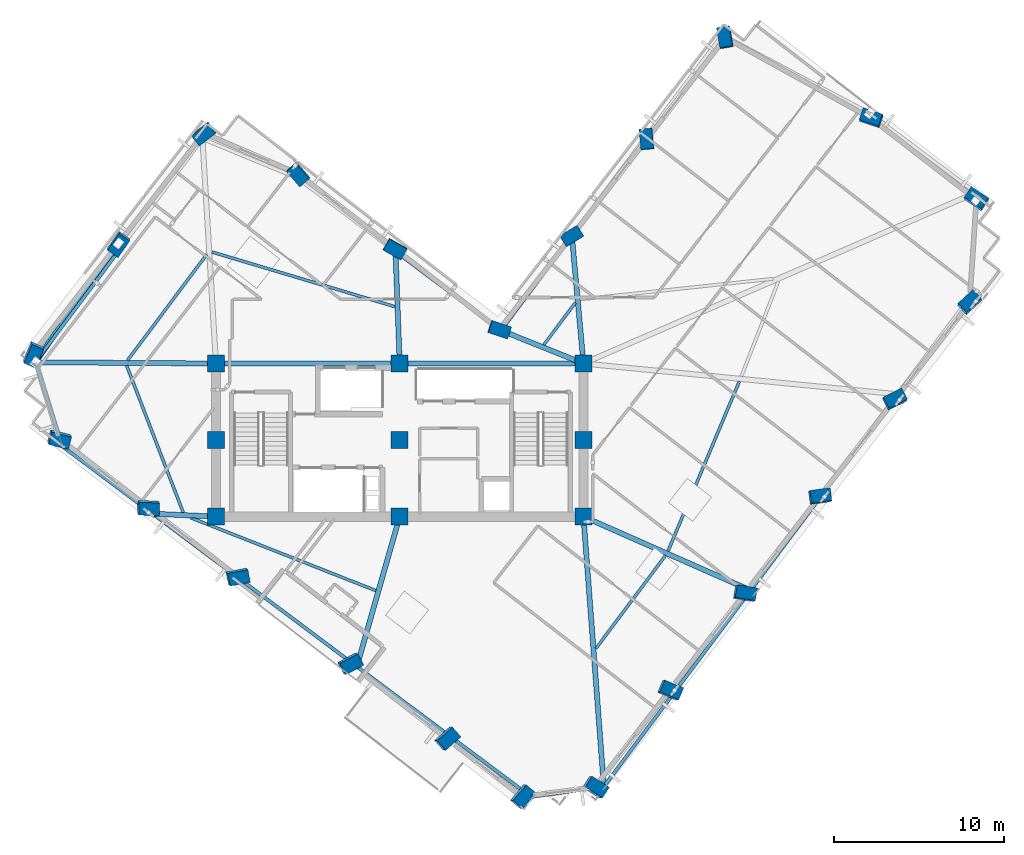
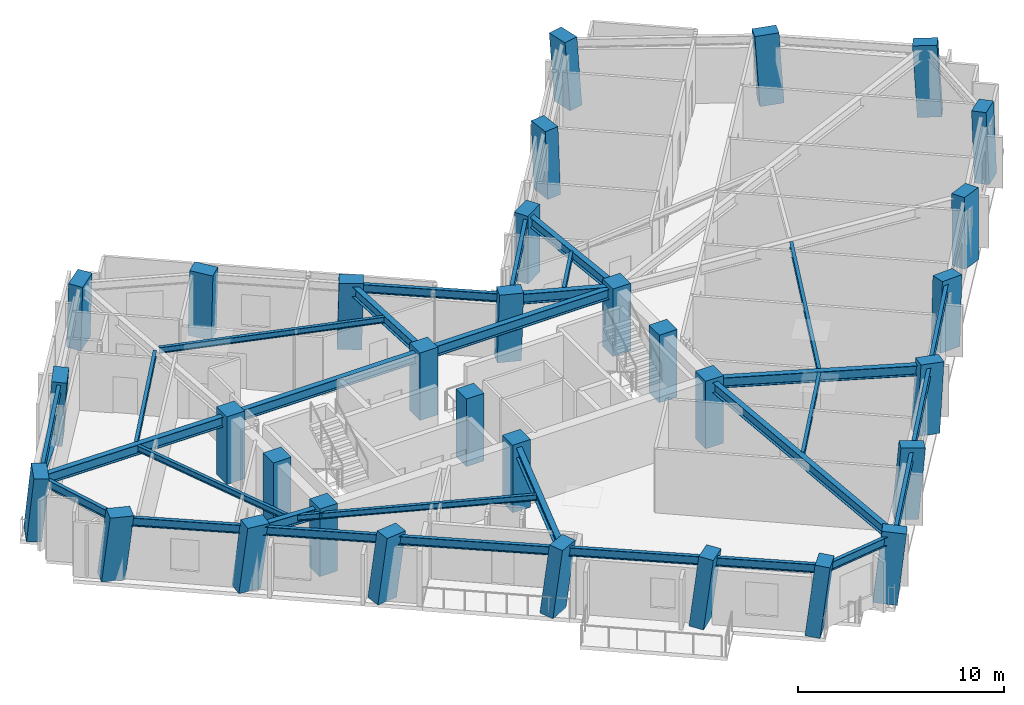
# One storey, part 1 of 12: 32 columns, 30 beams, 1 member.
"""IFC4 building model written with IfcOpenShell, lengths in metres."""

from ifc_helpers import new_model, si_unit, direction, frame, origin, origin_2d, place, context, subcontext, project, spatial, rectangle, hollow_circle, i_section, extrude, material, material_profile, profile_set, type_object, element, save


model = new_model("IFC4")

# Units and contexts
model_context = context("Model", 3, precision=1e-05, world=origin(), true_north=direction((0.0, 1.0)))
body_context = subcontext(model_context, "Body", "Model", "MODEL_VIEW")
ifc_project = project(units=[si_unit("LENGTHUNIT", "METRE"), si_unit("AREAUNIT", "SQUARE_METRE"), si_unit("VOLUMEUNIT", "CUBIC_METRE"), si_unit("PLANEANGLEUNIT", "RADIAN"), si_unit("MASSUNIT", "GRAM", prefix="KILO")], contexts=[model_context])

# Site, building, storey
site_placement = place(None, origin())
site = spatial("IfcSite", under=ifc_project, at=site_placement, CompositionType="ELEMENT")
building_placement = place(site_placement, origin())
building = spatial("IfcBuilding", under=site, at=building_placement, Name="Gaonmaruhae Medical Tower", CompositionType="ELEMENT")
storey_placement = place(building_placement, frame((0.0, 0.0, 247.199951171875)))
storey = spatial("IfcBuildingStorey", under=building, at=storey_placement, Name="L59", CompositionType="ELEMENT", Elevation=247.199951171875)

# Columns
ifc_material_1 = material(Name="Concrete C50/60", Category="concrete")
ifc_material_profile_1 = material_profile(ifc_material_1, rectangle(XDim=1.0, YDim=1.0, at=origin_2d()), Name="RC-1000x1000")
ifc_profile_set_1 = profile_set([ifc_material_profile_1], Name="Concrete C50/60")
column_type_1 = type_object("IfcColumnType", Name="CC-05 Zone 4 Core Column (RC-1000x1000)", PredefinedType="COLUMN", material=ifc_profile_set_1)
for number, where, z_axis, x_axis, name in (
    (1, (14.0, 7.800048828125, 0.0), (0.0, 0.0, 1.0), (1.0, 0.0, 0.0), "L59 Plumb Core Column CC11"),
    (2, (14.0, 12.300048828125, 0.0), (0.0, 0.0, 1.0), (1.0, 0.0, 0.0), "L59 Plumb Core Column CC12"),
    (3, (14.0, 16.800048828125, 0.0), (0.0, 0.0, 1.0), (1.0, 0.0, 0.0), "L59 Plumb Core Column CC13"),
    (4, (24.800048828125, 7.800048828125, 0.0), (0.0, 0.0, 1.0), (1.0, 0.0, 0.0), "L59 Plumb Core Column CC21"),
    (5, (24.800048828125, 12.300048828125, 0.0), (0.0, 0.0, 1.0), (1.0, 0.0, 0.0), "L59 Plumb Core Column CC22"),
    (6, (24.800048828125, 16.800048828125, 0.0), (0.0, 0.0, 1.0), (1.0, 0.0, 0.0), "L59 Plumb Core Column CC23"),
    (7, (35.60009765625, 7.800048828125, 0.0), (0.0, 0.0, 1.0), (1.0, 0.0, 0.0), "L59 Plumb Core Column CC31"),
    (8, (35.60009765625, 12.300048828125, 0.0), (0.0, 0.0, 1.0), (1.0, 0.0, 0.0), "L59 Plumb Core Column CC32"),
    (9, (35.60009765625, 16.800048828125, 0.0), (0.0, 0.0, 1.0), (1.0, 0.0, 0.0), "L59 Plumb Core Column CC33"),
):
    element("IfcColumn", number, at=place(storey_placement, frame(where, z_axis=z_axis, x_axis=x_axis)), inside=storey, type_object=column_type_1, Name=name, PredefinedType="COLUMN", context=body_context, shape_type="SweptSolid", body=[
        extrude(rectangle(XDim=1.0, YDim=1.0, at=origin_2d()), origin(), (0.0, 0.0, 1.0), 4.0),
    ])
ifc_material_profile_2 = material_profile(ifc_material_1, rectangle(XDim=1.199951171875, YDim=0.75, at=origin_2d()), Name="RC-1200x750")
ifc_profile_set_2 = profile_set([ifc_material_profile_2], Name="Concrete C50/60")
column_type_2 = type_object("IfcColumnType", Name="TC-03 Upper Raking Tube Pier Column (RC-1200x750)", PredefinedType="COLUMN", material=ifc_profile_set_2)
column_1_placement = place(storey_placement, frame((36.2548828125, -8.11474609375, 0.001953125), z_axis=(0.135095300523, 0.012044787099, 0.990759397069), x_axis=(-0.834656198785, 0.540229718626, 0.107242160284)))
element("IfcColumn", 10, at=column_1_placement, inside=storey, type_object=column_type_2, Name="L59 Perimeter Tube Column S01", PredefinedType="COLUMN", context=body_context, shape_type="SweptSolid", body=[
    extrude(rectangle(XDim=1.199951171875, YDim=0.75, at=origin_2d()), origin(), (0.0, 0.0, 1.0), 4.03369140625),
])
column_2_placement = place(storey_placement, frame((40.662841796875, -2.421630859375, 0.001953125), z_axis=(0.111833667772, 0.029976034661, 0.993274719349), x_axis=(-0.917097879864, 0.388008504121, 0.091547143476)))
element("IfcColumn", 11, at=column_2_placement, inside=storey, type_object=column_type_2, Name="L59 Perimeter Tube Column S02", PredefinedType="COLUMN", context=body_context, shape_type="SweptSolid", body=[
    extrude(rectangle(XDim=1.199951171875, YDim=0.75, at=origin_2d()), origin(), (0.0, 0.0, 1.0), 4.0234375),
])
column_3_placement = place(storey_placement, frame((45.07080078125, 3.271240234375, 0.001953125), z_axis=(0.088375757115, 0.048077870617, 0.994926250489), x_axis=(-0.98360363515, 0.161851376918, 0.079548857375)))
element("IfcColumn", 12, at=column_3_placement, inside=storey, type_object=column_type_2, Name="L59 Perimeter Tube Column S03", PredefinedType="COLUMN", context=body_context, shape_type="SweptSolid", body=[
    extrude(rectangle(XDim=1.199951171875, YDim=0.75, at=origin_2d()), origin(), (0.0, 0.0, 1.0), 4.0166015625),
])
column_4_placement = place(storey_placement, frame((49.478759765625, 8.96435546875, 0.001953125), z_axis=(0.064782917664, 0.066060327308, 0.995710403046), x_axis=(-0.988350873328, -0.133455718622, 0.073158200899)))
element("IfcColumn", 13, at=column_4_placement, inside=storey, type_object=column_type_2, Name="L59 Perimeter Tube Column S04", PredefinedType="COLUMN", context=body_context, shape_type="SweptSolid", body=[
    extrude(rectangle(XDim=1.199951171875, YDim=0.75, at=origin_2d()), origin(), (0.0, 0.0, 1.0), 4.013671875),
])
column_5_placement = place(storey_placement, frame((53.88671875, 14.657470703125, 0.001953125), z_axis=(0.041177092046, 0.084057224827, 0.995609777998), x_axis=(-0.896107262055, -0.437623558587, 0.074009430899)))
element("IfcColumn", 14, at=column_5_placement, inside=storey, type_object=column_type_2, Name="L59 Perimeter Tube Column S05", PredefinedType="COLUMN", context=body_context, shape_type="SweptSolid", body=[
    extrude(rectangle(XDim=1.199951171875, YDim=0.75, at=origin_2d()), origin(), (0.0, 0.0, 1.0), 4.013916015625),
])
column_6_placement = place(storey_placement, frame((58.294677734375, 20.350341796875, 0.001953125), z_axis=(0.017499830778, 0.101960819603, 0.994634479188), x_axis=(-0.73642938772, -0.671551052003, 0.081798175143)))
element("IfcColumn", 15, at=column_6_placement, inside=storey, type_object=column_type_2, Name="L59 Perimeter Tube Column S06", PredefinedType="COLUMN", context=body_context, shape_type="SweptSolid", body=[
    extrude(rectangle(XDim=1.199951171875, YDim=0.75, at=origin_2d()), origin(), (0.0, 0.0, 1.0), 4.017822265625),
])
column_7_placement = place(storey_placement, frame((58.697998046875, 26.4248046875, 0.001953125), z_axis=(-0.007595219156, 0.103416504035, 0.994609138978), x_axis=(0.833166287037, -0.549366665738, 0.063483893394)))
element("IfcColumn", 16, at=column_7_placement, inside=storey, type_object=column_type_2, Name="L59 Perimeter Tube Column E01", PredefinedType="COLUMN", context=body_context, shape_type="SweptSolid", body=[
    extrude(rectangle(XDim=1.199951171875, YDim=0.75, at=origin_2d()), origin(), (0.0, 0.0, 1.0), 4.01806640625),
])
column_8_placement = place(storey_placement, frame((52.530517578125, 31.2001953125, 0.001953125), z_axis=(-0.027092719635, 0.07799050304, 0.996585904967), x_axis=(0.947118439295, -0.316878141948, 0.050546069114)))
element("IfcColumn", 17, at=column_8_placement, inside=storey, type_object=column_type_2, Name="L59 Perimeter Tube Column E02", PredefinedType="COLUMN", context=body_context, shape_type="SweptSolid", body=[
    extrude(rectangle(XDim=1.199951171875, YDim=0.75, at=origin_2d()), origin(), (0.0, 0.0, 1.0), 4.010009765625),
])
column_9_placement = place(storey_placement, frame((43.9423828125, 35.95263671875, 0.001953125), z_axis=(-0.046459283818, 0.042374281172, 0.998021019439), x_axis=(0.170478733113, -0.984106179386, 0.049719505731)))
element("IfcColumn", 18, at=column_9_placement, inside=storey, type_object=column_type_2, Name="L59 Perimeter Tube Column E03", PredefinedType="COLUMN", context=body_context, shape_type="SweptSolid", body=[
    extrude(rectangle(XDim=1.199951171875, YDim=0.75, at=origin_2d()), origin(), (0.0, 0.0, 1.0), 4.004150390625),
])
column_10_placement = place(storey_placement, frame((39.3203125, 29.98291015625, 0.001953125), z_axis=(-0.021676245466, 0.023508040858, 0.999488625447), x_axis=(0.08563788715, -0.996005473508, 0.025283374503)))
element("IfcColumn", 19, at=column_10_placement, inside=storey, type_object=column_type_2, Name="L59 Perimeter Tube Column EN01", PredefinedType="COLUMN", context=body_context, shape_type="SweptSolid", body=[
    extrude(rectangle(XDim=1.199951171875, YDim=0.75, at=origin_2d()), origin(), (0.0, 0.0, 1.0), 3.998291015625),
])
column_11_placement = place(storey_placement, frame((34.912353515625, 24.289794921875, 0.001953125), z_axis=(0.00207706177, 0.005437014634, 0.9999830622), x_axis=(-0.854072816538, -0.52013310368, 0.00460201124)))
element("IfcColumn", 20, at=column_11_placement, inside=storey, type_object=column_type_2, Name="L59 Perimeter Tube Column EN02", PredefinedType="COLUMN", context=body_context, shape_type="SweptSolid", body=[
    extrude(rectangle(XDim=1.199951171875, YDim=0.75, at=origin_2d()), origin(), (0.0, 0.0, 1.0), 3.996337890625),
])
column_12_placement = place(storey_placement, frame((30.657470703125, 18.79443359375, 0.001953125), z_axis=(0.024976669224, -0.011969259579, 0.999616377827), x_axis=(-0.94878285786, 0.314731962752, 0.027475084218)))
element("IfcColumn", 21, at=column_12_placement, inside=storey, type_object=column_type_2, Name="L59 Perimeter Tube Column KN01", PredefinedType="COLUMN", context=body_context, shape_type="SweptSolid", body=[
    extrude(rectangle(XDim=1.199951171875, YDim=0.75, at=origin_2d()), origin(), (0.0, 0.0, 1.0), 3.997802734375),
])
column_13_placement = place(storey_placement, frame((24.529541015625, 23.5390625, 0.001953125), z_axis=(0.005555283631, -0.037543949814, 0.999279535794), x_axis=(-0.871721329071, 0.489450758115, 0.023235314142)))
element("IfcColumn", 22, at=column_13_placement, inside=storey, type_object=column_type_2, Name="L59 Perimeter Tube Column NE01", PredefinedType="COLUMN", context=body_context, shape_type="SweptSolid", body=[
    extrude(rectangle(XDim=1.199951171875, YDim=0.75, at=origin_2d()), origin(), (0.0, 0.0, 1.0), 3.999267578125),
])
column_14_placement = place(storey_placement, frame((18.836669921875, 27.947021484375, 0.001953125), z_axis=(-0.012560214296, -0.0611548298, 0.998049261214), x_axis=(-0.651594320374, 0.757604088657, 0.03822154505)))
element("IfcColumn", 23, at=column_14_placement, inside=storey, type_object=column_type_2, Name="L59 Perimeter Tube Column NE02", PredefinedType="COLUMN", context=body_context, shape_type="SweptSolid", body=[
    extrude(rectangle(XDim=1.199951171875, YDim=0.75, at=origin_2d()), origin(), (0.0, 0.0, 1.0), 4.004150390625),
])
column_15_placement = place(storey_placement, frame((13.292724609375, 30.342529296875, 0.001953125), z_axis=(-0.022213828305, -0.084047388737, 0.996214124713), x_axis=(0.793170432052, 0.605108125641, 0.068737340657)))
element("IfcColumn", 24, at=column_15_placement, inside=storey, type_object=column_type_2, Name="L59 Perimeter Tube Column N01", PredefinedType="COLUMN", context=body_context, shape_type="SweptSolid", body=[
    extrude(rectangle(XDim=1.199951171875, YDim=0.75, at=origin_2d()), origin(), (0.0, 0.0, 1.0), 4.011474609375),
])
column_16_placement = place(storey_placement, frame((8.2724609375, 23.858642578125, 0.001953125), z_axis=(0.00479977683, -0.104379956889, 0.994525910543), x_axis=(0.575449404971, 0.813653503986, 0.082619354686)))
element("IfcColumn", 25, at=column_16_placement, inside=storey, type_object=column_type_2, Name="L59 Perimeter Tube Column N02", PredefinedType="COLUMN", context=body_context, shape_type="SweptSolid", body=[
    extrude(rectangle(XDim=1.199951171875, YDim=0.75, at=origin_2d()), origin(), (0.0, 0.0, 1.0), 4.018310546875),
])
column_17_placement = place(storey_placement, frame((3.25244140625, 17.375, 0.001953125), z_axis=(0.031564824707, -0.124502331616, 0.991717112519), x_axis=(0.400737327413, 0.910546939736, 0.101557200414)))
element("IfcColumn", 26, at=column_17_placement, inside=storey, type_object=column_type_2, Name="L59 Perimeter Tube Column N03", PredefinedType="COLUMN", context=body_context, shape_type="SweptSolid", body=[
    extrude(rectangle(XDim=1.199951171875, YDim=0.75, at=origin_2d()), origin(), (0.0, 0.0, 1.0), 4.02978515625),
])
column_18_placement = place(storey_placement, frame((4.7763671875, 12.401123046875, 0.001953125), z_axis=(0.051917734031, -0.11807195289, 0.991646894229), x_axis=(-0.96817687498, 0.237482706263, 0.078965201073)))
element("IfcColumn", 27, at=column_18_placement, inside=storey, type_object=column_type_2, Name="L59 Perimeter Tube Column W01", PredefinedType="COLUMN", context=body_context, shape_type="SweptSolid", body=[
    extrude(rectangle(XDim=1.199951171875, YDim=0.75, at=origin_2d()), origin(), (0.0, 0.0, 1.0), 4.030029296875),
])
column_19_placement = place(storey_placement, frame((9.994873046875, 8.3603515625, 0.001953125), z_axis=(0.068486749732, -0.096572989879, 0.992966878973), x_axis=(-0.996627035573, 0.038482771556, 0.072481916762)))
element("IfcColumn", 28, at=column_19_placement, inside=storey, type_object=column_type_2, Name="L59 Perimeter Tube Column W02", PredefinedType="COLUMN", context=body_context, shape_type="SweptSolid", body=[
    extrude(rectangle(XDim=1.199951171875, YDim=0.75, at=origin_2d()), origin(), (0.0, 0.0, 1.0), 4.024658203125),
])
column_20_placement = place(storey_placement, frame((15.2529296875, 4.289306640625, 0.001953125), z_axis=(0.085097553282, -0.07490041423, 0.993553387782), x_axis=(-0.979007006368, -0.191646415867, 0.069404126443)))
element("IfcColumn", 29, at=column_20_placement, inside=storey, type_object=column_type_2, Name="L59 Perimeter Tube Column W03", PredefinedType="COLUMN", context=body_context, shape_type="SweptSolid", body=[
    extrude(rectangle(XDim=1.199951171875, YDim=0.75, at=origin_2d()), origin(), (0.0, 0.0, 1.0), 4.022216796875),
])
column_21_placement = place(storey_placement, frame((21.855224609375, -0.82275390625, 0.001953125), z_axis=(0.105883912589, -0.04745055567, 0.993245710699), x_axis=(-0.87826244174, -0.472873167035, 0.071035563823)))
element("IfcColumn", 30, at=column_21_placement, inside=storey, type_object=column_type_2, Name="L59 Perimeter Tube Column W04", PredefinedType="COLUMN", context=body_context, shape_type="SweptSolid", body=[
    extrude(rectangle(XDim=1.199951171875, YDim=0.75, at=origin_2d()), origin(), (0.0, 0.0, 1.0), 4.0234375),
])
column_22_placement = place(storey_placement, frame((27.54833984375, -5.230712890625, 0.001953125), z_axis=(0.123693723262, -0.023817556708, 0.992034569366), x_axis=(-0.745888462615, -0.661591366506, 0.077118513358)))
element("IfcColumn", 31, at=column_22_placement, inside=storey, type_object=column_type_2, Name="L59 Perimeter Tube Column W05", PredefinedType="COLUMN", context=body_context, shape_type="SweptSolid", body=[
    extrude(rectangle(XDim=1.199951171875, YDim=0.75, at=origin_2d()), origin(), (0.0, 0.0, 1.0), 4.0283203125),
])
column_23_placement = place(storey_placement, frame((31.97607421875, -8.658935546875, 0.001953125), z_axis=(0.137419473608, -0.00556697119, 0.990497297879), x_axis=(-0.637907791144, -0.765495970153, 0.084199582408)))
element("IfcColumn", 32, at=column_23_placement, inside=storey, type_object=column_type_2, Name="L59 Perimeter Tube Column W06", PredefinedType="COLUMN", context=body_context, shape_type="SweptSolid", body=[
    extrude(rectangle(XDim=1.199951171875, YDim=0.75, at=origin_2d()), origin(), (0.0, 0.0, 1.0), 4.03466796875),
])

# Beams
ifc_material_2 = material(Name="Steel SM355", Category="steel")
ifc_material_profile_3 = material_profile(ifc_material_2, i_section(OverallWidth=0.175048828125, OverallDepth=0.35009765625, WebThickness=0.007080078125, FlangeThickness=0.010986328125, FilletRadius=0.012939453125, at=origin_2d()), Name="H-350x175x7x11")
ifc_profile_set_3 = profile_set([ifc_material_profile_3], Name="Steel SM355")
beam_type_1 = type_object("IfcBeamType", Name="FJ-02 Upper Zone Ward Floor Joist (H-350x175x7x11)", PredefinedType="JOIST", material=ifc_profile_set_3)
beam_1_placement = place(storey_placement, frame((36.34033203125, 0.054443359375, 3.60498046875), z_axis=(0.59902383972, 0.800731190505, 0.0), x_axis=(-0.800731190505, 0.59902383972, 0.0)))
element("IfcBeam", 33, at=beam_1_placement, inside=storey, type_object=beam_type_1, Name="L59 Secondary Floor Joist FJ01", PredefinedType="JOIST", context=body_context, shape_type="SweptSolid", body=[
    extrude(i_section(OverallWidth=0.175048828125, OverallDepth=0.35009765625, WebThickness=0.007080078125, FlangeThickness=0.010986328125, FilletRadius=0.012939453125, at=origin_2d()), origin(), (0.0, 0.0, 1.0), 6.805908203125),
])
beam_2_placement = place(storey_placement, frame((40.573486328125, 5.776123046875, 3.60498046875), z_axis=(0.387354518502, 0.921930841764, 0.0), x_axis=(-0.921930841764, 0.387354518502, 0.0)))
element("IfcBeam", 34, at=beam_2_placement, inside=storey, type_object=beam_type_1, Name="L59 Secondary Floor Joist FJ02", PredefinedType="JOIST", context=body_context, shape_type="SweptSolid", body=[
    extrude(i_section(OverallWidth=0.175048828125, OverallDepth=0.35009765625, WebThickness=0.007080078125, FlangeThickness=0.010986328125, FilletRadius=0.012939453125, at=origin_2d()), origin(), (0.0, 0.0, 1.0), 10.815673828125),
])
beam_3_placement = place(storey_placement, frame((35.122314453125, 20.371337890625, 3.60498046875), z_axis=(-0.599049458753, -0.800712024368, 0.0), x_axis=(0.800712024368, -0.599049458753, 0.0)))
element("IfcBeam", 35, at=beam_3_placement, inside=storey, type_object=beam_type_1, Name="L59 Secondary Floor Joist FJ05", PredefinedType="JOIST", context=body_context, shape_type="SweptSolid", body=[
    extrude(i_section(OverallWidth=0.175048828125, OverallDepth=0.35009765625, WebThickness=0.007080078125, FlangeThickness=0.010986328125, FilletRadius=0.012939453125, at=origin_2d()), origin(), (0.0, 0.0, 1.0), 3.08349609375),
])
beam_4_placement = place(storey_placement, frame((24.518310546875, 20.1416015625, 3.60498046875), z_axis=(-0.958161974915, 0.286226535853, 0.0), x_axis=(-0.286226535853, -0.958161974915, 0.0)))
element("IfcBeam", 36, at=beam_4_placement, inside=storey, type_object=beam_type_1, Name="L59 Secondary Floor Joist FJ07", PredefinedType="JOIST", context=body_context, shape_type="SweptSolid", body=[
    extrude(i_section(OverallWidth=0.175048828125, OverallDepth=0.35009765625, WebThickness=0.007080078125, FlangeThickness=0.010986328125, FilletRadius=0.012939453125, at=origin_2d()), origin(), (0.0, 0.0, 1.0), 11.2275390625),
])
beam_5_placement = place(storey_placement, frame((13.459228515625, 23.2119140625, 3.60498046875), z_axis=(-0.599024171876, -0.80073094202, 0.0), x_axis=(0.80073094202, -0.599024171876, 0.0)))
element("IfcBeam", 37, at=beam_5_placement, inside=storey, type_object=beam_type_1, Name="L59 Secondary Floor Joist FJ08", PredefinedType="JOIST", context=body_context, shape_type="SweptSolid", body=[
    extrude(i_section(OverallWidth=0.175048828125, OverallDepth=0.35009765625, WebThickness=0.007080078125, FlangeThickness=0.010986328125, FilletRadius=0.012939453125, at=origin_2d()), origin(), (0.0, 0.0, 1.0), 7.769287109375),
])
beam_6_placement = place(storey_placement, frame((8.75, 16.680419921875, 3.60498046875), z_axis=(0.359223036438, -0.933251739935, 0.0), x_axis=(0.933251739935, 0.359223036438, 0.0)))
element("IfcBeam", 38, at=beam_6_placement, inside=storey, type_object=beam_type_1, Name="L59 Secondary Floor Joist FJ09", PredefinedType="JOIST", context=body_context, shape_type="SweptSolid", body=[
    extrude(i_section(OverallWidth=0.175048828125, OverallDepth=0.35009765625, WebThickness=0.007080078125, FlangeThickness=0.010986328125, FilletRadius=0.012939453125, at=origin_2d()), origin(), (0.0, 0.0, 1.0), 9.25390625),
])
beam_7_placement = place(storey_placement, frame((12.508056640625, 7.739013671875, 3.60498046875), z_axis=(0.930415076632, -0.366507551322, 0.0), x_axis=(0.366507551322, 0.930415076632, 0.0)))
element("IfcBeam", 39, at=beam_7_placement, inside=storey, type_object=beam_type_1, Name="L59 Secondary Floor Joist FJ10", PredefinedType="JOIST", context=body_context, shape_type="SweptSolid", body=[
    extrude(i_section(OverallWidth=0.175048828125, OverallDepth=0.35009765625, WebThickness=0.007080078125, FlangeThickness=0.010986328125, FilletRadius=0.012939453125, at=origin_2d()), origin(), (0.0, 0.0, 1.0), 11.701171875),
])

# Member
ifc_material_profile_4 = material_profile(ifc_material_2, hollow_circle(Radius=0.1591796875, WallThickness=0.01025390625, at=origin_2d()), Name="CHS-318.5x10.3")
ifc_profile_set_4 = profile_set([ifc_material_profile_4], Name="Steel SM355")
member_type = type_object("IfcMemberType", Name="PB-03 Perimeter Solid-Bay Tube Brace Upper (CHS-318.5x10.3)", PredefinedType="BRACE", material=ifc_profile_set_4)
member_placement = place(storey_placement, frame((8.2724609375, 23.85888671875, 0.25), z_axis=(-0.535445811382, -0.764495107374, 0.358949876549), x_axis=(0.819081273797, -0.57367749382, 0.0)))
element("IfcMember", 40, at=member_placement, inside=storey, type_object=member_type, Name="L59 Perimeter Tube Solid-Bay Brace N02-N03", PredefinedType="BRACE", context=body_context, shape_type="SweptSolid", body=[
    extrude(hollow_circle(Radius=0.1591796875, WallThickness=0.01025390625, at=origin_2d()), origin(), (0.0, 0.0, 1.0), 9.137939453125),
])

# Beams
ifc_material_3 = material(Name="Steel SM420", Category="steel")
ifc_material_profile_5 = material_profile(ifc_material_3, i_section(OverallWidth=0.300048828125, OverallDepth=0.60009765625, WebThickness=0.011962890625, FlangeThickness=0.02001953125, FilletRadius=0.012939453125, at=origin_2d()), Name="H-600x300x12x20")
ifc_profile_set_5 = profile_set([ifc_material_profile_5], Name="Steel SM420")
beam_type_2 = type_object("IfcBeamType", Name="PG-04 Zone 4 Radial Floor Girder (H-600x300x12x20)", PredefinedType="BEAM", material=ifc_profile_set_5)
for number, where, z_axis, x_axis, name in (
    (41, (14.050048828125, 16.800048828125, 3.47998046875), (1.0, 0.0, 0.0), (0.0, 1.0, 0.0), "L59 Beam BM-L59-CG-N1"),
    (42, (24.85009765625, 16.800048828125, 3.47998046875), (1.0, 0.0, 0.0), (0.0, 1.0, 0.0), "L59 Beam BM-L59-CG-N2"),
):
    element("IfcBeam", number, at=place(storey_placement, frame(where, z_axis=z_axis, x_axis=x_axis)), inside=storey, type_object=beam_type_2, Name=name, PredefinedType="BEAM", context=body_context, shape_type="SweptSolid", body=[
        extrude(i_section(OverallWidth=0.300048828125, OverallDepth=0.60009765625, WebThickness=0.011962890625, FlangeThickness=0.02001953125, FilletRadius=0.012939453125, at=origin_2d()), origin(), (0.0, 0.0, 1.0), 10.699951171875),
    ])
beam_8_placement = place(storey_placement, frame((35.603759765625, 7.750244140625, 3.47998046875), z_axis=(0.075427131938, -0.997151316385, 0.0), x_axis=(0.997151316385, 0.075427131938, 0.0)))
element("IfcBeam", 43, at=beam_8_placement, inside=storey, type_object=beam_type_2, Name="L59 Radial Primary Girder S01", PredefinedType="BEAM", context=body_context, shape_type="SweptSolid", body=[
    extrude(i_section(OverallWidth=0.300048828125, OverallDepth=0.60009765625, WebThickness=0.011962890625, FlangeThickness=0.02001953125, FilletRadius=0.012939453125, at=origin_2d()), origin(), (0.0, 0.0, 1.0), 15.8115234375),
])
beam_9_placement = place(storey_placement, frame((35.645751953125, 7.77978515625, 3.47998046875), z_axis=(0.914901102668, -0.403678055307, 0.0), x_axis=(0.403678055307, 0.914901102668, 0.0)))
element("IfcBeam", 44, at=beam_9_placement, inside=storey, type_object=beam_type_2, Name="L59 Radial Primary Girder S03", PredefinedType="BEAM", context=body_context, shape_type="SweptSolid", body=[
    extrude(i_section(OverallWidth=0.300048828125, OverallDepth=0.60009765625, WebThickness=0.011962890625, FlangeThickness=0.02001953125, FilletRadius=0.012939453125, at=origin_2d()), origin(), (0.0, 0.0, 1.0), 10.64013671875),
])
beam_10_placement = place(storey_placement, frame((35.595458984375, 16.849853515625, 3.47998046875), z_axis=(-0.090083185737, 0.99593424464, 0.0), x_axis=(-0.99593424464, -0.090083185737, 0.0)))
element("IfcBeam", 45, at=beam_10_placement, inside=storey, type_object=beam_type_2, Name="L59 Radial Primary Girder EN02", PredefinedType="BEAM", context=body_context, shape_type="SweptSolid", body=[
    extrude(i_section(OverallWidth=0.300048828125, OverallDepth=0.60009765625, WebThickness=0.011962890625, FlangeThickness=0.02001953125, FilletRadius=0.012939453125, at=origin_2d()), origin(), (0.0, 0.0, 1.0), 7.442138671875),
])
beam_11_placement = place(storey_placement, frame((35.5537109375, 16.818603515625, 3.47998046875), z_axis=(-0.927857078267, 0.372935976154, 0.0), x_axis=(-0.372935976154, -0.927857078267, 0.0)))
element("IfcBeam", 46, at=beam_11_placement, inside=storey, type_object=beam_type_2, Name="L59 Radial Primary Girder KN01", PredefinedType="BEAM", context=body_context, shape_type="SweptSolid", body=[
    extrude(i_section(OverallWidth=0.300048828125, OverallDepth=0.60009765625, WebThickness=0.011962890625, FlangeThickness=0.02001953125, FilletRadius=0.012939453125, at=origin_2d()), origin(), (0.0, 0.0, 1.0), 5.119384765625),
])
beam_12_placement = place(storey_placement, frame((24.798095703125, 16.849853515625, 3.47998046875), z_axis=(-0.037633217126, 0.999291619583, 0.0), x_axis=(-0.999291619583, -0.037633217126, 0.0)))
element("IfcBeam", 47, at=beam_12_placement, inside=storey, type_object=beam_type_2, Name="L59 Radial Primary Girder NE01", PredefinedType="BEAM", context=body_context, shape_type="SweptSolid", body=[
    extrude(i_section(OverallWidth=0.300048828125, OverallDepth=0.60009765625, WebThickness=0.011962890625, FlangeThickness=0.02001953125, FilletRadius=0.012939453125, at=origin_2d()), origin(), (0.0, 0.0, 1.0), 6.493896484375),
])
beam_13_placement = place(storey_placement, frame((13.949951171875, 16.80029296875, 3.47998046875), z_axis=(-0.999976248323, 0.006892226817, 0.0), x_axis=(-0.006892226817, -0.999976248323, 0.0)))
element("IfcBeam", 48, at=beam_13_placement, inside=storey, type_object=beam_type_2, Name="L59 Radial Primary Girder N03", PredefinedType="BEAM", context=body_context, shape_type="SweptSolid", body=[
    extrude(i_section(OverallWidth=0.300048828125, OverallDepth=0.60009765625, WebThickness=0.011962890625, FlangeThickness=0.02001953125, FilletRadius=0.012939453125, at=origin_2d()), origin(), (0.0, 0.0, 1.0), 10.5205078125),
])
beam_14_placement = place(storey_placement, frame((13.949951171875, 7.80224609375, 3.47998046875), z_axis=(-0.99894317017, 0.045962406054, 0.0), x_axis=(-0.045962406054, -0.99894317017, 0.0)))
element("IfcBeam", 49, at=beam_14_placement, inside=storey, type_object=beam_type_2, Name="L59 Radial Primary Girder W02", PredefinedType="BEAM", context=body_context, shape_type="SweptSolid", body=[
    extrude(i_section(OverallWidth=0.300048828125, OverallDepth=0.60009765625, WebThickness=0.011962890625, FlangeThickness=0.02001953125, FilletRadius=0.012939453125, at=origin_2d()), origin(), (0.0, 0.0, 1.0), 3.63330078125),
])
beam_15_placement = place(storey_placement, frame((24.786376953125, 7.751953125, 3.4599609375), z_axis=(-0.27476380449, -0.961511753304, 0.0), x_axis=(0.961511753304, -0.27476380449, 0.0)))
element("IfcBeam", 50, at=beam_15_placement, inside=storey, type_object=beam_type_2, Name="L59 Radial Primary Girder W04", PredefinedType="BEAM", context=body_context, shape_type="SweptSolid", body=[
    extrude(i_section(OverallWidth=0.300048828125, OverallDepth=0.60009765625, WebThickness=0.011962890625, FlangeThickness=0.02001953125, FilletRadius=0.012939453125, at=origin_2d()), origin(), (0.0, 0.0, 1.0), 9.066650390625),
])
ifc_material_profile_6 = material_profile(ifc_material_2, i_section(OverallWidth=0.199951171875, OverallDepth=0.5, WebThickness=0.010009765625, FlangeThickness=0.01611328125, FilletRadius=0.012939453125, at=origin_2d()), Name="H-500x200x10x16")
ifc_profile_set_6 = profile_set([ifc_material_profile_6], Name="Steel SM355")
beam_type_3 = type_object("IfcBeamType", Name="SP-02 Upper Perimeter Spandrel Beam (H-500x200x10x16)", PredefinedType="SPANDREL", material=ifc_profile_set_6)
for number, where, z_axis, x_axis, name in (
    (51, (36.823974609375, -8.0341796875, 3.530029296875), (0.599017529522, 0.8007359111, 0.0), (-0.8007359111, 0.599017529522, 0.0), "L59 Perimeter Spandrel Beam S01-S02"),
    (52, (41.136962890625, -2.268798828125, 3.530029296875), (0.599033976422, 0.800723607178, 0.0), (-0.800723607178, 0.599033976422, 0.0), "L59 Perimeter Spandrel Beam S02-S03"),
    (53, (45.449951171875, 3.496337890625, 3.530029296875), (0.599017529522, 0.8007359111, 0.0), (-0.8007359111, 0.599017529522, 0.0), "L59 Perimeter Spandrel Beam S03-S04"),
):
    element("IfcBeam", number, at=place(storey_placement, frame(where, z_axis=z_axis, x_axis=x_axis)), inside=storey, type_object=beam_type_3, Name=name, PredefinedType="SPANDREL", context=body_context, shape_type="SweptSolid", body=[
        extrude(i_section(OverallWidth=0.199951171875, OverallDepth=0.5, WebThickness=0.010009765625, FlangeThickness=0.01611328125, FilletRadius=0.012939453125, at=origin_2d()), origin(), (0.0, 0.0, 1.0), 7.1201171875),
    ])
beam_16_placement = place(storey_placement, frame((34.896728515625, 24.279541015625, 3.530029296875), z_axis=(-0.599044342293, -0.800715852201, 0.0), x_axis=(0.800715852201, -0.599044342293, 0.0)))
element("IfcBeam", 54, at=beam_16_placement, inside=storey, type_object=beam_type_3, Name="L59 Perimeter Spandrel Beam EN02-KN01", PredefinedType="SPANDREL", context=body_context, shape_type="SweptSolid", body=[
    extrude(i_section(OverallWidth=0.199951171875, OverallDepth=0.5, WebThickness=0.010009765625, FlangeThickness=0.01611328125, FilletRadius=0.012939453125, at=origin_2d()), origin(), (0.0, 0.0, 1.0), 6.8701171875),
])
beam_17_placement = place(storey_placement, frame((30.725341796875, 18.7705078125, 3.530029296875), z_axis=(-0.800732781441, 0.599021713068, 0.0), x_axis=(-0.599021713068, -0.800732781441, 0.0)))
element("IfcBeam", 55, at=beam_17_placement, inside=storey, type_object=beam_type_3, Name="L59 Perimeter Spandrel Beam KN01-NE01", PredefinedType="SPANDREL", context=body_context, shape_type="SweptSolid", body=[
    extrude(i_section(OverallWidth=0.199951171875, OverallDepth=0.5, WebThickness=0.010009765625, FlangeThickness=0.01611328125, FilletRadius=0.012939453125, at=origin_2d()), origin(), (0.0, 0.0, 1.0), 7.669921875),
])
beam_18_placement = place(storey_placement, frame((8.267578125, 23.406982421875, 3.530029296875), z_axis=(-0.599032594471, -0.800724641036, 0.0), x_axis=(0.800724641036, -0.599032594471, 0.0)))
element("IfcBeam", 56, at=beam_18_placement, inside=storey, type_object=beam_type_3, Name="L59 Perimeter Spandrel Beam N02-N03", PredefinedType="SPANDREL", context=body_context, shape_type="SweptSolid", body=[
    extrude(i_section(OverallWidth=0.199951171875, OverallDepth=0.5, WebThickness=0.010009765625, FlangeThickness=0.01611328125, FilletRadius=0.012939453125, at=origin_2d()), origin(), (0.0, 0.0, 1.0), 8.119873046875),
])
beam_19_placement = place(storey_placement, frame((3.39208984375, 16.8349609375, 3.530029296875), z_axis=(0.30872499382, -0.951151343473, 0.0), x_axis=(0.951151343473, 0.30872499382, 0.0)))
element("IfcBeam", 57, at=beam_19_placement, inside=storey, type_object=beam_type_3, Name="L59 Perimeter Spandrel Beam N03-W01", PredefinedType="SPANDREL", context=body_context, shape_type="SweptSolid", body=[
    extrude(i_section(OverallWidth=0.199951171875, OverallDepth=0.5, WebThickness=0.010009765625, FlangeThickness=0.01611328125, FilletRadius=0.012939453125, at=origin_2d()), origin(), (0.0, 0.0, 1.0), 5.1220703125),
])
beam_20_placement = place(storey_placement, frame((5.017822265625, 11.901123046875, 3.530029296875), z_axis=(0.800736325649, -0.599016975374, 0.0), x_axis=(0.599016975374, 0.800736325649, 0.0)))
element("IfcBeam", 58, at=beam_20_placement, inside=storey, type_object=beam_type_3, Name="L59 Perimeter Spandrel Beam W01-W02", PredefinedType="SPANDREL", context=body_context, shape_type="SweptSolid", body=[
    extrude(i_section(OverallWidth=0.199951171875, OverallDepth=0.5, WebThickness=0.010009765625, FlangeThickness=0.01611328125, FilletRadius=0.012939453125, at=origin_2d()), origin(), (0.0, 0.0, 1.0), 6.519775390625),
])
beam_21_placement = place(storey_placement, frame((10.302490234375, 7.947509765625, 3.530029296875), z_axis=(0.800730720984, -0.599024467341, 0.0), x_axis=(0.599024467341, 0.800730720984, 0.0)))
element("IfcBeam", 59, at=beam_21_placement, inside=storey, type_object=beam_type_3, Name="L59 Perimeter Spandrel Beam W02-W03", PredefinedType="SPANDREL", context=body_context, shape_type="SweptSolid", body=[
    extrude(i_section(OverallWidth=0.199951171875, OverallDepth=0.5, WebThickness=0.010009765625, FlangeThickness=0.01611328125, FilletRadius=0.012939453125, at=origin_2d()), origin(), (0.0, 0.0, 1.0), 6.56982421875),
])
beam_22_placement = place(storey_placement, frame((15.62744140625, 3.964111328125, 3.510009765625), z_axis=(0.800736248836, -0.599017078054, 0.0), x_axis=(0.599017078054, 0.800736248836, 0.0)))
element("IfcBeam", 60, at=beam_22_placement, inside=storey, type_object=beam_type_3, Name="L59 Perimeter Spandrel Beam W03-W04", PredefinedType="SPANDREL", context=body_context, shape_type="SweptSolid", body=[
    extrude(i_section(OverallWidth=0.199951171875, OverallDepth=0.5, WebThickness=0.010009765625, FlangeThickness=0.01611328125, FilletRadius=0.012939453125, at=origin_2d()), origin(), (0.0, 0.0, 1.0), 8.27001953125),
])
beam_23_placement = place(storey_placement, frame((22.3134765625, -1.037841796875, 3.530029296875), z_axis=(0.800740054439, -0.599011990879, 0.0), x_axis=(0.599011990879, 0.800740054439, 0.0)))
element("IfcBeam", 61, at=beam_23_placement, inside=storey, type_object=beam_type_3, Name="L59 Perimeter Spandrel Beam W04-W05", PredefinedType="SPANDREL", context=body_context, shape_type="SweptSolid", body=[
    extrude(i_section(OverallWidth=0.199951171875, OverallDepth=0.5, WebThickness=0.010009765625, FlangeThickness=0.01611328125, FilletRadius=0.012939453125, at=origin_2d()), origin(), (0.0, 0.0, 1.0), 7.119873046875),
])
beam_24_placement = place(storey_placement, frame((28.078857421875, -5.350830078125, 3.530029296875), z_axis=(0.800721237848, -0.599037143472, 0.0), x_axis=(0.599037143472, 0.800721237848, 0.0)))
element("IfcBeam", 62, at=beam_24_placement, inside=storey, type_object=beam_type_3, Name="L59 Perimeter Spandrel Beam W05-W06", PredefinedType="SPANDREL", context=body_context, shape_type="SweptSolid", body=[
    extrude(i_section(OverallWidth=0.199951171875, OverallDepth=0.5, WebThickness=0.010009765625, FlangeThickness=0.01611328125, FilletRadius=0.012939453125, at=origin_2d()), origin(), (0.0, 0.0, 1.0), 5.52001953125),
])
beam_25_placement = place(storey_placement, frame((32.570556640625, -8.675537109375, 3.530029296875), z_axis=(0.989776898347, 0.142624301924, 0.0), x_axis=(-0.142624301924, 0.989776898347, 0.0)))
element("IfcBeam", 63, at=beam_25_placement, inside=storey, type_object=beam_type_3, Name="L59 Perimeter Spandrel Beam W06-S01", PredefinedType="SPANDREL", context=body_context, shape_type="SweptSolid", body=[
    extrude(i_section(OverallWidth=0.199951171875, OverallDepth=0.5, WebThickness=0.010009765625, FlangeThickness=0.01611328125, FilletRadius=0.012939453125, at=origin_2d()), origin(), (0.0, 0.0, 1.0), 4.233154296875),
])

save(model, "model.ifc")
